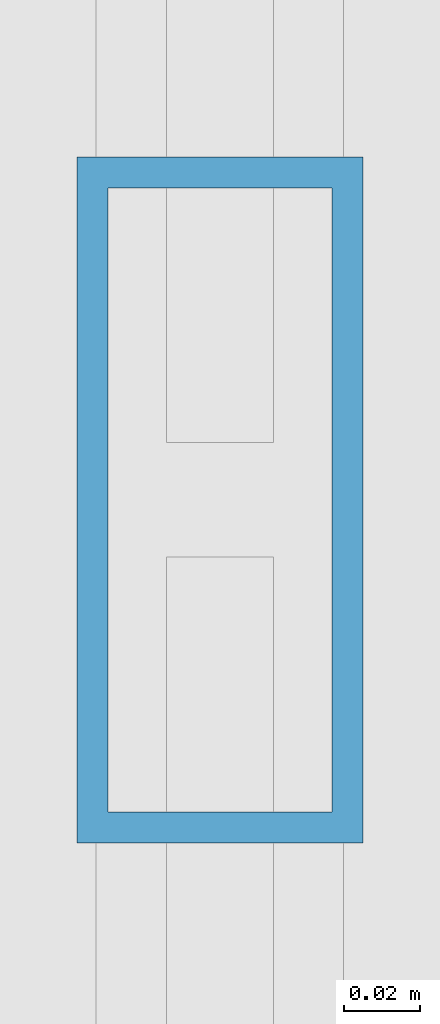
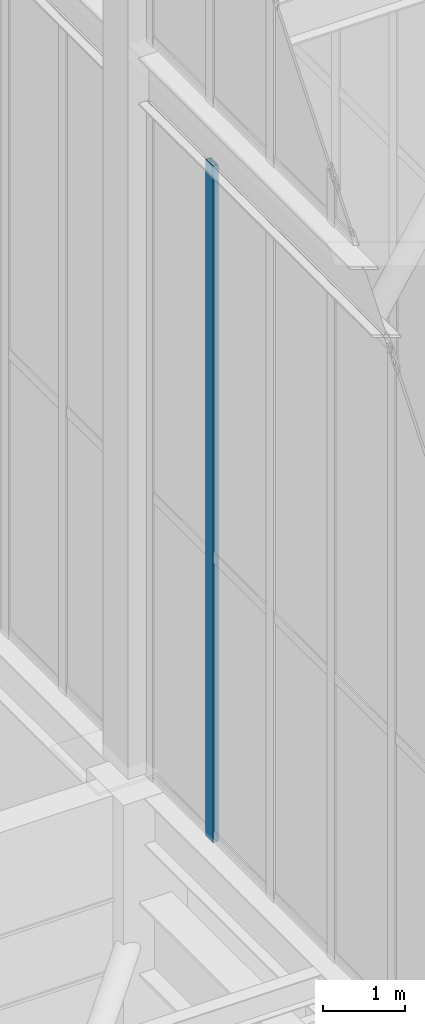
# One storey, part 74 of 135: 1 member, 1 element without a shape of its own.
"""IFC4 building model written with IfcOpenShell, lengths in metres."""

from ifc_helpers import new_model, si_unit, direction, frame, origin, origin_2d, place, context, subcontext, project, spatial, hollow_rectangle, extrude, source, transform, mapped, material, layer, layer_set, material_profile, profile_set, type_object, element, aggregate, save


model = new_model("IFC4")

# Units and contexts
model_context = context("Model", 3, precision=1e-05, world=origin(), true_north=direction((0.0, 1.0)))
body_context = subcontext(model_context, "Body", "Model", "MODEL_VIEW")
ifc_project = project(units=[si_unit("LENGTHUNIT", "METRE"), si_unit("AREAUNIT", "SQUARE_METRE"), si_unit("VOLUMEUNIT", "CUBIC_METRE"), si_unit("PLANEANGLEUNIT", "RADIAN"), si_unit("MASSUNIT", "GRAM", prefix="KILO")], contexts=[model_context])

# Site, building, storey
site_placement = place(None, origin())
site = spatial("IfcSite", under=ifc_project, at=site_placement, CompositionType="ELEMENT")
building_placement = place(site_placement, origin())
building = spatial("IfcBuilding", under=site, at=building_placement, Name="Giltprow Tower", CompositionType="ELEMENT")
storey_placement = place(building_placement, frame((0.0, 0.0, 352.699951171875)))
storey = spatial("IfcBuildingStorey", under=building, at=storey_placement, Name="L92", CompositionType="ELEMENT", Elevation=352.699951171875)

# Curtain wall, member
ifc_material = material(Name="Anodized bronze", Category="metal")
ifc_layer = layer(ifc_material, 0.179931640625, Name="Anodized bronze")
ifc_layer_set = layer_set([ifc_layer], Name="Anodized bronze")
curtain_wall_type = type_object("IfcCurtainWallType", Name="CW-CROWN-LANTERN", PredefinedType="NOTDEFINED", material=ifc_layer_set)
curtain_wall_placement = place(storey_placement, origin())
curtain_wall = element("IfcCurtainWall", 1, at=curtain_wall_placement, inside=storey, type_object=curtain_wall_type, Name="Crown East Lower Lantern Glazing 6", PredefinedType="NOTDEFINED")
ifc_material_profile = material_profile(ifc_material, hollow_rectangle(XDim=0.074951171875, YDim=0.179931640625, WallThickness=0.008056640625, at=origin_2d()), Name="RHS 180x75x8")
ifc_profile_set = profile_set([ifc_material_profile], Name="Anodized bronze")
member_type = type_object("IfcMemberType", Name="CW-MULLION-180x75", PredefinedType="MULLION", material=ifc_profile_set)
shared_shape = source(origin(), body_context, "Body", "SweptSolid", [
    extrude(hollow_rectangle(XDim=0.074951171875, YDim=0.179931640625, WallThickness=0.008056640625, at=origin_2d()), origin(), (0.0, 0.0, 1.0), 10.030029296875),
])
member_placement = place(storey_placement, frame((44.300048828125, 35.6279296875, 6.35009765625), z_axis=(0.0, 0.0, 1.0), x_axis=(1.0, 0.0, 0.0)))
member = element("IfcMember", 2, at=member_placement, type_object=member_type, Name="Crown East Lower Lantern Glazing 6 Mullion 2", PredefinedType="MULLION", context=body_context, shape_type="MappedRepresentation", body=[
    mapped(shared_shape, transform((0.0, 0.0, 0.0), x_axis=(1.0, 0.0, 0.0), y_axis=(0.0, 1.0, 0.0), z_axis=(0.0, 0.0, 1.0), scale=1.0)),
])
aggregate(curtain_wall, [member])

save(model, "model.ifc")
